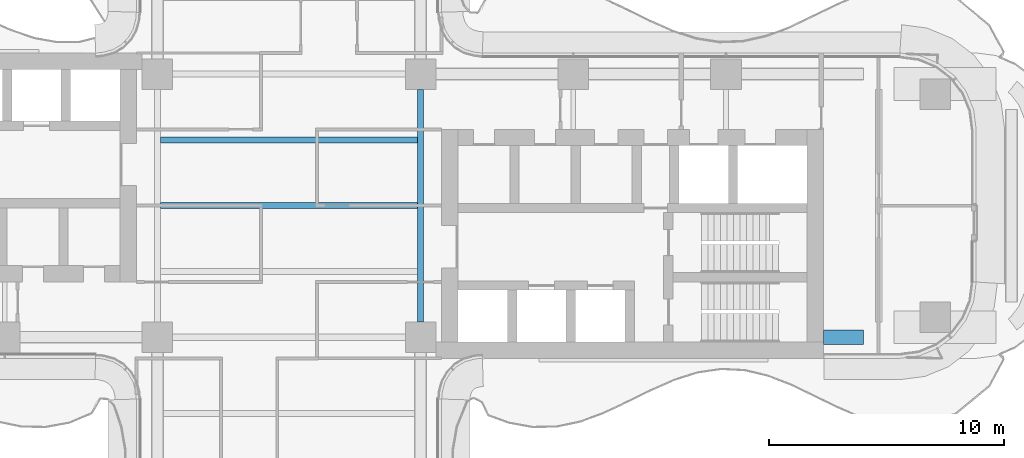
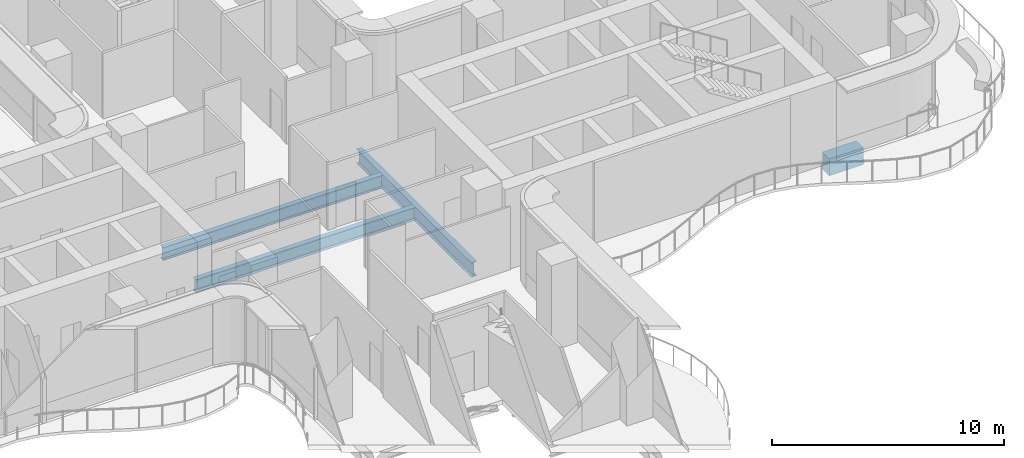
# One storey, part 6 of 21: 4 beams.
"""IFC4 building model written with IfcOpenShell, lengths in metres."""

from ifc_helpers import new_model, si_unit, direction, frame, origin, origin_2d, place, context, subcontext, project, spatial, rectangle, i_section, extrude, source, transform, mapped, material, material_profile, profile_set, type_object, element, save


model = new_model("IFC4")

# Units and contexts
model_context = context("Model", 3, precision=1e-05, world=origin(), true_north=direction((0.0, 1.0)))
body_context = subcontext(model_context, "Body", "Model", "MODEL_VIEW")
ifc_project = project(units=[si_unit("LENGTHUNIT", "METRE"), si_unit("AREAUNIT", "SQUARE_METRE"), si_unit("VOLUMEUNIT", "CUBIC_METRE"), si_unit("PLANEANGLEUNIT", "RADIAN"), si_unit("MASSUNIT", "GRAM", prefix="KILO")], contexts=[model_context])

# Site, building, storey
site_placement = place(None, origin())
site = spatial("IfcSite", under=ifc_project, at=site_placement, CompositionType="ELEMENT")
building_placement = place(site_placement, origin())
building = spatial("IfcBuilding", under=site, at=building_placement, Name="Trellis Farm Tower", CompositionType="ELEMENT")
storey_placement = place(building_placement, frame((0.0, 0.0, 97.5)))
storey = spatial("IfcBuildingStorey", under=building, at=storey_placement, Name="L20", CompositionType="ELEMENT", Elevation=97.5)

# Beams
ifc_material_1 = material(Name="Steel S355", Category="steel")
ifc_material_profile_1 = material_profile(ifc_material_1, i_section(OverallWidth=0.253662109375, OverallDepth=0.68359375, WebThickness=0.012451171875, FlangeThickness=0.021728515625, FilletRadius=0.01513671875, at=origin_2d()), Name="UB 686x254x140")
ifc_profile_set_1 = profile_set([ifc_material_profile_1], Name="Steel S355")
beam_type_1 = type_object("IfcBeamType", Name="UB 686x254x140 joist", PredefinedType="JOIST", material=ifc_profile_set_1)
shared_shape_1 = source(origin(), body_context, "Body", "SweptSolid", [
    extrude(i_section(OverallWidth=0.253662109375, OverallDepth=0.68359375, WebThickness=0.012451171875, FlangeThickness=0.021728515625, FilletRadius=0.01513671875, at=origin_2d()), origin(), (0.0, 0.0, 1.0), 10.93310546875),
])
for number, where, z_axis, x_axis, name in (
    (1, (-5.466552734375, 0.0, -0.591796875), (1.0, 0.0, 0.0), (0.0, 1.0, 0.0), "Floor beam"),
    (2, (-5.466552734375, 2.800048828125, -0.591796875), (1.0, 0.0, 0.0), (0.0, 1.0, 0.0), "Floor beam"),
):
    element("IfcBeam", number, at=place(storey_placement, frame(where, z_axis=z_axis, x_axis=x_axis)), inside=storey, type_object=beam_type_1, Name=name, PredefinedType="JOIST", context=body_context, shape_type="MappedRepresentation", body=[
        mapped(shared_shape_1, transform((0.0, 0.0, 0.0))),
    ])
ifc_material_profile_2 = material_profile(ifc_material_1, i_section(OverallWidth=0.2666015625, OverallDepth=0.76220703125, WebThickness=0.014404296875, FlangeThickness=0.021484375, FilletRadius=0.0166015625, at=origin_2d()), Name="UB 762x267x173")
ifc_profile_set_2 = profile_set([ifc_material_profile_2], Name="Steel S355")
beam_type_2 = type_object("IfcBeamType", Name="UB 762x267x173", PredefinedType="BEAM", material=ifc_profile_set_2)
shared_shape_2 = source(origin(), body_context, "Body", "SweptSolid", [
    extrude(i_section(OverallWidth=0.2666015625, OverallDepth=0.76220703125, WebThickness=0.014404296875, FlangeThickness=0.021484375, FilletRadius=0.0166015625, at=origin_2d()), origin(), (0.0, 0.0, 1.0), 9.89990234375),
])
beam_1_placement = place(storey_placement, frame((5.60009765625, -4.949951171875, -0.631103515625), z_axis=(0.0, 1.0, 0.0), x_axis=(-1.0, 0.0, 0.0)))
element("IfcBeam", 3, at=beam_1_placement, inside=storey, type_object=beam_type_2, Name="Girder", PredefinedType="BEAM", context=body_context, shape_type="MappedRepresentation", body=[
    mapped(shared_shape_2, transform((0.0, 0.0, 0.0))),
])
ifc_material_2 = material(Name="Concrete C60/75", Category="concrete")
ifc_material_profile_3 = material_profile(ifc_material_2, rectangle(XDim=0.60009765625, YDim=0.89990234375, at=origin_2d()), Name="RC spandrel beam 600x900 C60/75")
ifc_profile_set_3 = profile_set([ifc_material_profile_3], Name="Concrete C60/75")
beam_type_3 = type_object("IfcBeamType", Name="RC spandrel beam 600x900 C60/75", PredefinedType="SPANDREL", material=ifc_profile_set_3)
shared_shape_3 = source(origin(), body_context, "Body", "SweptSolid", [
    extrude(rectangle(XDim=0.60009765625, YDim=0.89990234375, at=origin_2d()), origin(), (0.0, 0.0, 1.0), 1.699951171875),
])
beam_2_placement = place(storey_placement, frame((22.75, -5.60009765625, -0.699951171875), z_axis=(1.0, 0.0, 0.0), x_axis=(0.0, 1.0, 0.0)))
element("IfcBeam", 4, at=beam_2_placement, inside=storey, type_object=beam_type_3, Name="Girder", PredefinedType="SPANDREL", context=body_context, shape_type="MappedRepresentation", body=[
    mapped(shared_shape_3, transform((0.0, 0.0, 0.0))),
])

save(model, "model.ifc")
